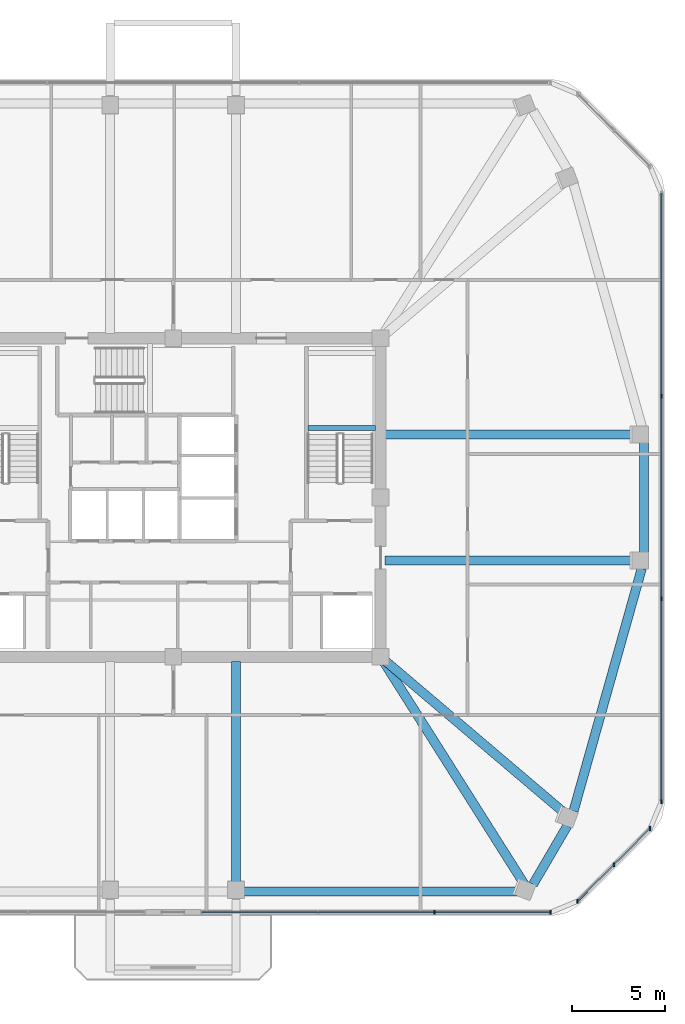
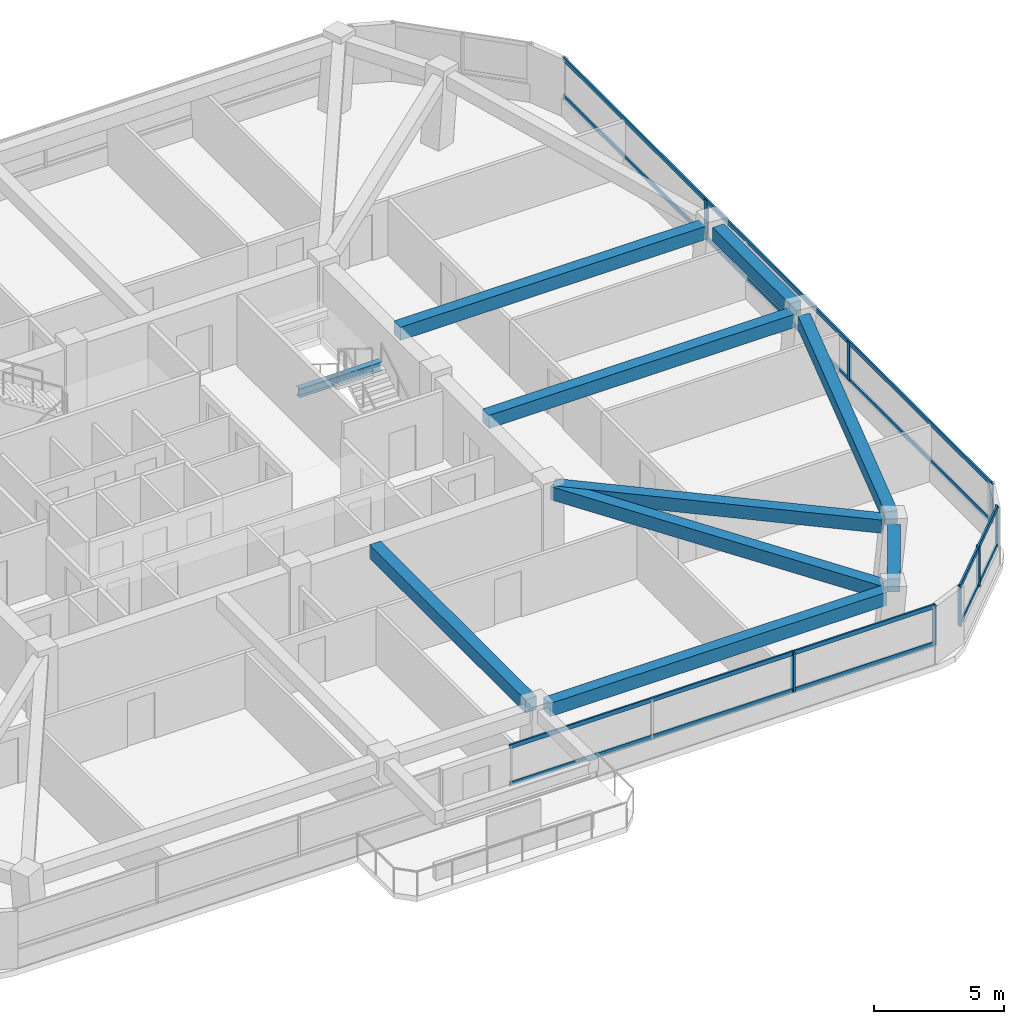
# One storey, part 3 of 13: 14 members, 10 beams, 3 elements without a shape of their own.
"""IFC4 building model written with IfcOpenShell, lengths in metres."""

from ifc_helpers import new_model, si_unit, derived_unit, direction, frame, origin, origin_2d, place, context, subcontext, project, spatial, rectangle, i_section, extrude, material, material_profile, profile_set, type_object, element, aggregate, save


model = new_model("IFC4")

# Units and contexts
model_context = context("Model", 3, precision=1e-05, world=origin(), true_north=direction((0.0, 1.0)))
body_context = subcontext(model_context, "Body", "Model", "MODEL_VIEW")
ifc_project = project(units=[si_unit("LENGTHUNIT", "METRE"), si_unit("AREAUNIT", "SQUARE_METRE"), si_unit("VOLUMEUNIT", "CUBIC_METRE"), si_unit("PLANEANGLEUNIT", "RADIAN"), si_unit("MASSUNIT", "GRAM", prefix="KILO"), derived_unit("THERMALTRANSMITTANCEUNIT", [(si_unit("POWERUNIT", "WATT"), 1), (si_unit("LENGTHUNIT", "METRE"), -2), (si_unit("THERMODYNAMICTEMPERATUREUNIT", "KELVIN"), -1)])], contexts=[model_context])

# Site, building, storey
site_placement = place(None, origin())
site = spatial("IfcSite", under=ifc_project, at=site_placement, CompositionType="ELEMENT")
building_placement = place(site_placement, origin())
building = spatial("IfcBuilding", under=site, at=building_placement, Name="Koralith Skygarden Medical Center", CompositionType="ELEMENT")
storey_placement = place(building_placement, frame((0.0, 0.0, 214.3798828125)))
storey = spatial("IfcBuildingStorey", under=building, at=storey_placement, Name="L55", CompositionType="ELEMENT", Elevation=214.3798828125)

# Curtain wall, members
ifc_material_1 = material(Name="Clear Laminated Glass", Category="glass")
curtain_wall_type = type_object("IfcCurtainWallType", Name="CW-5 Zone 4 Flare Biophilic Curtain Wall", PredefinedType="NOTDEFINED", material=ifc_material_1)
curtain_wall_1_placement = place(storey_placement, origin())
curtain_wall_1 = element("IfcCurtainWall", 1, at=curtain_wall_1_placement, inside=storey, type_object=curtain_wall_type, Name="Curtain Wall CW-L55-S-R", PredefinedType="NOTDEFINED")
ifc_material_2 = material(Name="Aluminium 6063-T6", Category="aluminium")
ifc_material_profile_1 = material_profile(ifc_material_2, rectangle(XDim=0.080078125, YDim=0.219970703125, at=origin_2d()), Name="MUL80X220")
ifc_profile_set_1 = profile_set([ifc_material_profile_1], Name="Aluminium 6063-T6")
member_type_1 = type_object("IfcMemberType", Name="CW-5 Extruded Mullion 80x220", PredefinedType="MULLION", material=ifc_profile_set_1)
member_1_placement = place(storey_placement, frame((51.10107421875, 3.510986328125, 0.85009765625), z_axis=(0.0, 0.0, 1.0), x_axis=(1.0, 0.0, 0.0)))
member_1 = element("IfcMember", 2, at=member_1_placement, type_object=member_type_1, Name="CW-L55-S-R Mullion 3", PredefinedType="MULLION", context=body_context, shape_type="SweptSolid", body=[
    extrude(rectangle(XDim=0.080078125, YDim=0.219970703125, at=origin_2d()), origin(), (0.0, 0.0, 1.0), 1.840087890625),
])
member_2_placement = place(storey_placement, frame((57.382080078125, 3.510986328125, 0.85009765625), z_axis=(0.0, 0.0, 1.0), x_axis=(1.0, 0.0, 0.0)))
member_2 = element("IfcMember", 3, at=member_2_placement, type_object=member_type_1, Name="CW-L55-S-R Mullion 4", PredefinedType="MULLION", context=body_context, shape_type="SweptSolid", body=[
    extrude(rectangle(XDim=0.080078125, YDim=0.219970703125, at=origin_2d()), origin(), (0.0, 0.0, 1.0), 1.840087890625),
])

curtain_wall_2_placement = place(storey_placement, origin())
curtain_wall_2 = element("IfcCurtainWall", 4, at=curtain_wall_2_placement, inside=storey, type_object=curtain_wall_type, Name="Curtain Wall CW-L55-SE", PredefinedType="NOTDEFINED")
member_3_placement = place(storey_placement, frame((58.8330078125, 4.113037109375, 0.85009765625), z_axis=(0.0, 0.0, 1.0), x_axis=(1.0, 0.0, 0.0)))
member_3 = element("IfcMember", 5, at=member_3_placement, type_object=member_type_1, Name="CW-L55-SE Mullion 1", PredefinedType="MULLION", context=body_context, shape_type="SweptSolid", body=[
    extrude(rectangle(XDim=0.080078125, YDim=0.219970703125, at=origin_2d()), origin(), (0.0, 0.0, 1.0), 1.840087890625),
])
member_4_placement = place(storey_placement, frame((60.7939453125, 6.074951171875, 0.85009765625), z_axis=(0.0, 0.0, 1.0), x_axis=(1.0, 0.0, 0.0)))
member_4 = element("IfcMember", 6, at=member_4_placement, type_object=member_type_1, Name="CW-L55-SE Mullion 2", PredefinedType="MULLION", context=body_context, shape_type="SweptSolid", body=[
    extrude(rectangle(XDim=0.080078125, YDim=0.219970703125, at=origin_2d()), origin(), (0.0, 0.0, 1.0), 1.840087890625),
])
member_5_placement = place(storey_placement, frame((62.756103515625, 8.035888671875, 0.85009765625), z_axis=(0.0, 0.0, 1.0), x_axis=(1.0, 0.0, 0.0)))
member_5 = element("IfcMember", 7, at=member_5_placement, type_object=member_type_1, Name="CW-L55-SE Mullion 3", PredefinedType="MULLION", context=body_context, shape_type="SweptSolid", body=[
    extrude(rectangle(XDim=0.080078125, YDim=0.219970703125, at=origin_2d()), origin(), (0.0, 0.0, 1.0), 1.840087890625),
])

curtain_wall_3_placement = place(storey_placement, origin())
curtain_wall_3 = element("IfcCurtainWall", 8, at=curtain_wall_3_placement, inside=storey, type_object=curtain_wall_type, Name="Curtain Wall CW-L55-E", PredefinedType="NOTDEFINED")
member_6_placement = place(storey_placement, frame((63.35693359375, 9.487060546875, 0.85009765625), z_axis=(0.0, 0.0, 1.0), x_axis=(1.0, 0.0, 0.0)))
member_6 = element("IfcMember", 9, at=member_6_placement, type_object=member_type_1, Name="CW-L55-E Mullion 1", PredefinedType="MULLION", context=body_context, shape_type="SweptSolid", body=[
    extrude(rectangle(XDim=0.080078125, YDim=0.219970703125, at=origin_2d()), origin(), (0.0, 0.0, 1.0), 1.840087890625),
])
member_7_placement = place(storey_placement, frame((63.35693359375, 20.428955078125, 0.85009765625), z_axis=(0.0, 0.0, 1.0), x_axis=(1.0, 0.0, 0.0)))
member_7 = element("IfcMember", 10, at=member_7_placement, type_object=member_type_1, Name="CW-L55-E Mullion 2", PredefinedType="MULLION", context=body_context, shape_type="SweptSolid", body=[
    extrude(rectangle(XDim=0.080078125, YDim=0.219970703125, at=origin_2d()), origin(), (0.0, 0.0, 1.0), 1.840087890625),
])
member_8_placement = place(storey_placement, frame((63.35693359375, 31.37109375, 0.85009765625), z_axis=(0.0, 0.0, 1.0), x_axis=(1.0, 0.0, 0.0)))
member_8 = element("IfcMember", 11, at=member_8_placement, type_object=member_type_1, Name="CW-L55-E Mullion 3", PredefinedType="MULLION", context=body_context, shape_type="SweptSolid", body=[
    extrude(rectangle(XDim=0.080078125, YDim=0.219970703125, at=origin_2d()), origin(), (0.0, 0.0, 1.0), 1.840087890625),
])

# Member
ifc_material_profile_2 = material_profile(ifc_material_2, rectangle(XDim=0.074951171875, YDim=0.197998046875, at=origin_2d()), Name="TRN75X198")
ifc_profile_set_2 = profile_set([ifc_material_profile_2], Name="Aluminium 6063-T6")
member_type_2 = type_object("IfcMemberType", Name="CW-5 Thermal Transom 75x198", PredefinedType="USERDEFINED", material=ifc_profile_set_2)
member_9_placement = place(storey_placement, frame((38.5390625, 3.510986328125, 0.900146484375), z_axis=(1.0, 0.0, 0.0), x_axis=(0.0, 1.0, 0.0)))
member_9 = element("IfcMember", 12, at=member_9_placement, type_object=member_type_2, Name="CW-L55-S-R Transom 1", ObjectType="TRANSOM", PredefinedType="USERDEFINED", context=body_context, shape_type="SweptSolid", body=[
    extrude(rectangle(XDim=0.074951171875, YDim=0.197998046875, at=origin_2d()), origin(), (0.0, 0.0, 1.0), 18.843017578125),
])

member_10_placement = place(storey_placement, frame((38.5390625, 3.510986328125, 2.64013671875), z_axis=(1.0, 0.0, 0.0), x_axis=(0.0, 1.0, 0.0)))
member_10 = element("IfcMember", 13, at=member_10_placement, type_object=member_type_2, Name="CW-L55-S-R Transom 2", ObjectType="TRANSOM", PredefinedType="USERDEFINED", context=body_context, shape_type="SweptSolid", body=[
    extrude(rectangle(XDim=0.074951171875, YDim=0.197998046875, at=origin_2d()), origin(), (0.0, 0.0, 1.0), 18.843017578125),
])

aggregate(curtain_wall_1, [member_1, member_2, member_9, member_10])

member_11_placement = place(storey_placement, frame((58.8330078125, 4.113037109375, 0.900146484375), z_axis=(0.707128783731, 0.707084777957, 0.0), x_axis=(-0.707084777957, 0.707128783731, 0.0)))
member_11 = element("IfcMember", 14, at=member_11_placement, type_object=member_type_2, Name="CW-L55-SE Transom 1", ObjectType="TRANSOM", PredefinedType="USERDEFINED", context=body_context, shape_type="SweptSolid", body=[
    extrude(rectangle(XDim=0.074951171875, YDim=0.197998046875, at=origin_2d()), origin(), (0.0, 0.0, 1.0), 5.5478515625),
])

member_12_placement = place(storey_placement, frame((58.8330078125, 4.113037109375, 2.64013671875), z_axis=(0.707128783731, 0.707084777957, 0.0), x_axis=(-0.707084777957, 0.707128783731, 0.0)))
member_12 = element("IfcMember", 15, at=member_12_placement, type_object=member_type_2, Name="CW-L55-SE Transom 2", ObjectType="TRANSOM", PredefinedType="USERDEFINED", context=body_context, shape_type="SweptSolid", body=[
    extrude(rectangle(XDim=0.074951171875, YDim=0.197998046875, at=origin_2d()), origin(), (0.0, 0.0, 1.0), 5.5478515625),
])

aggregate(curtain_wall_2, [member_3, member_4, member_5, member_11, member_12])

member_13_placement = place(storey_placement, frame((63.35693359375, 9.487060546875, 0.900146484375), z_axis=(0.0, 1.0, 0.0), x_axis=(-1.0, 0.0, 0.0)))
member_13 = element("IfcMember", 16, at=member_13_placement, type_object=member_type_2, Name="CW-L55-E Transom 1", ObjectType="TRANSOM", PredefinedType="USERDEFINED", context=body_context, shape_type="SweptSolid", body=[
    extrude(rectangle(XDim=0.074951171875, YDim=0.197998046875, at=origin_2d()), origin(), (0.0, 0.0, 1.0), 32.825927734375),
])

member_14_placement = place(storey_placement, frame((63.35693359375, 9.487060546875, 2.64013671875), z_axis=(0.0, 1.0, 0.0), x_axis=(-1.0, 0.0, 0.0)))
member_14 = element("IfcMember", 17, at=member_14_placement, type_object=member_type_2, Name="CW-L55-E Transom 2", ObjectType="TRANSOM", PredefinedType="USERDEFINED", context=body_context, shape_type="SweptSolid", body=[
    extrude(rectangle(XDim=0.074951171875, YDim=0.197998046875, at=origin_2d()), origin(), (0.0, 0.0, 1.0), 32.825927734375),
])

aggregate(curtain_wall_3, [member_6, member_7, member_8, member_13, member_14])

# Beams
ifc_material_3 = material(Name="Steel ASTM A992 Grade 50", Category="steel")
ifc_material_profile_3 = material_profile(ifc_material_3, i_section(OverallWidth=0.260009765625, OverallDepth=0.4150390625, WebThickness=0.010009765625, FlangeThickness=0.016845703125, at=origin_2d()), Name="W16X67")
ifc_profile_set_3 = profile_set([ifc_material_profile_3], Name="Steel ASTM A992 Grade 50")
beam_type_1 = type_object("IfcBeamType", Name="Clinical Floor Joist W16X67", PredefinedType="JOIST", material=ifc_profile_set_3)
beam_1_placement = place(storey_placement, frame((44.280029296875, 29.659912109375, 1.39306640625), z_axis=(1.0, 0.0, 0.0), x_axis=(0.0, 1.0, 0.0)))
element("IfcBeam", 18, at=beam_1_placement, inside=storey, type_object=beam_type_1, Name="L55 Stair ST2 Half-Landing Support Beam 1A", PredefinedType="JOIST", context=body_context, shape_type="SweptSolid", body=[
    extrude(i_section(OverallWidth=0.260009765625, OverallDepth=0.4150390625, WebThickness=0.010009765625, FlangeThickness=0.016845703125, at=origin_2d()), origin(), (0.0, 0.0, 1.0), 3.639892578125),
])
ifc_material_4 = material(Name="Concrete C45/55", Category="concrete")
ifc_material_profile_4 = material_profile(ifc_material_4, rectangle(XDim=0.5, YDim=0.6201171875, at=origin_2d()), Name="RCB500X620")
ifc_profile_set_4 = profile_set([ifc_material_profile_4], Name="Concrete C45/55")
beam_type_2 = type_object("IfcBeamType", Name="Upper Radial Collector Beam RCB500X620", PredefinedType="BEAM", material=ifc_profile_set_4)
beam_2_placement = place(storey_placement, frame((40.39990234375, 17.050048828125, 3.010009765625), z_axis=(0.0, -1.0, 0.0), x_axis=(1.0, 0.0, 0.0)))
element("IfcBeam", 19, at=beam_2_placement, inside=storey, type_object=beam_type_2, Name="L55 Radial Collector Beam RB-05", PredefinedType="BEAM", context=body_context, shape_type="SweptSolid", body=[
    extrude(rectangle(XDim=0.5, YDim=0.6201171875, at=origin_2d()), origin(), (0.0, 0.0, 1.0), 11.97412109375),
])
beam_3_placement = place(storey_placement, frame((48.333984375, 17.089111328125, 3.010009765625), z_axis=(0.53443183761, -0.845211577624, 0.0), x_axis=(0.845211577624, 0.53443183761, 0.0)))
element("IfcBeam", 20, at=beam_3_placement, inside=storey, type_object=beam_type_2, Name="L55 Radial Collector Beam RB-06", PredefinedType="BEAM", context=body_context, shape_type="SweptSolid", body=[
    extrude(rectangle(XDim=0.5, YDim=0.6201171875, at=origin_2d()), origin(), (0.0, 0.0, 1.0), 14.29345703125),
])
beam_4_placement = place(storey_placement, frame((48.39111328125, 17.137939453125, 3.010009765625), z_axis=(0.762329179737, -0.647189478995, 0.0), x_axis=(0.647189478995, 0.762329179737, 0.0)))
element("IfcBeam", 21, at=beam_4_placement, inside=storey, type_object=beam_type_2, Name="L55 Radial Collector Beam RB-07", PredefinedType="BEAM", context=body_context, shape_type="SweptSolid", body=[
    extrude(rectangle(XDim=0.5, YDim=0.6201171875, at=origin_2d()), origin(), (0.0, 0.0, 1.0), 12.81982421875),
])
for number, where, z_axis, x_axis, name in (
    (22, (48.449951171875, 22.5, 3.010009765625), (1.0, 0.0, 0.0), (0.0, 1.0, 0.0), "L55 Radial Collector Beam RB-08"),
    (23, (48.449951171875, 29.300048828125, 3.010009765625), (1.0, 0.0, 0.0), (0.0, 1.0, 0.0), "L55 Radial Collector Beam RB-09"),
):
    element("IfcBeam", number, at=place(storey_placement, frame(where, z_axis=z_axis, x_axis=x_axis)), inside=storey, type_object=beam_type_2, Name=name, PredefinedType="BEAM", context=body_context, shape_type="SweptSolid", body=[
        extrude(rectangle(XDim=0.5, YDim=0.6201171875, at=origin_2d()), origin(), (0.0, 0.0, 1.0), 13.529052734375),
    ])
ifc_material_profile_5 = material_profile(ifc_material_4, rectangle(XDim=0.5, YDim=0.6201171875, at=origin_2d()), Name="RCB500X620")
ifc_profile_set_5 = profile_set([ifc_material_profile_5], Name="Concrete C45/55")
beam_type_3 = type_object("IfcBeamType", Name="Zone 4-5 Spandrel Beam RCB500X620", PredefinedType="SPANDREL", material=ifc_profile_set_5)
beam_5_placement = place(storey_placement, frame((40.840087890625, 4.635986328125, 3.010009765625), z_axis=(1.0, 0.0, 0.0), x_axis=(0.0, 1.0, 0.0)))
element("IfcBeam", 24, at=beam_5_placement, inside=storey, type_object=beam_type_3, Name="L55 Perimeter Spandrel Beam SP-05", PredefinedType="SPANDREL", context=body_context, shape_type="SweptSolid", body=[
    extrude(rectangle(XDim=0.5, YDim=0.6201171875, at=origin_2d()), origin(), (0.0, 0.0, 1.0), 14.927978515625),
])
beam_6_placement = place(storey_placement, frame((56.429931640625, 5.01611328125, 3.010009765625), z_axis=(0.504662936205, 0.863316466205, 0.0), x_axis=(-0.863316466205, 0.504662936205, 0.0)))
element("IfcBeam", 25, at=beam_6_placement, inside=storey, type_object=beam_type_3, Name="L55 Perimeter Spandrel Beam SP-06", PredefinedType="SPANDREL", context=body_context, shape_type="SweptSolid", body=[
    extrude(rectangle(XDim=0.5, YDim=0.6201171875, at=origin_2d()), origin(), (0.0, 0.0, 1.0), 3.66015625),
])
beam_7_placement = place(storey_placement, frame((58.617919921875, 8.97998046875, 3.010009765625), z_axis=(0.270670216723, 0.962672132026, 0.0), x_axis=(-0.962672132026, 0.270670216723, 0.0)))
element("IfcBeam", 26, at=beam_7_placement, inside=storey, type_object=beam_type_3, Name="L55 Perimeter Spandrel Beam SP-07", PredefinedType="SPANDREL", context=body_context, shape_type="SweptSolid", body=[
    extrude(rectangle(XDim=0.5, YDim=0.6201171875, at=origin_2d()), origin(), (0.0, 0.0, 1.0), 13.603759765625),
])
beam_8_placement = place(storey_placement, frame((62.4189453125, 22.93994140625, 3.010009765625), z_axis=(0.0, 1.0, 0.0), x_axis=(-1.0, 0.0, 0.0)))
element("IfcBeam", 27, at=beam_8_placement, inside=storey, type_object=beam_type_3, Name="L55 Perimeter Spandrel Beam SP-08", PredefinedType="SPANDREL", context=body_context, shape_type="SweptSolid", body=[
    extrude(rectangle(XDim=0.5, YDim=0.6201171875, at=origin_2d()), origin(), (0.0, 0.0, 1.0), 5.920166015625),
])

save(model, "model.ifc")
